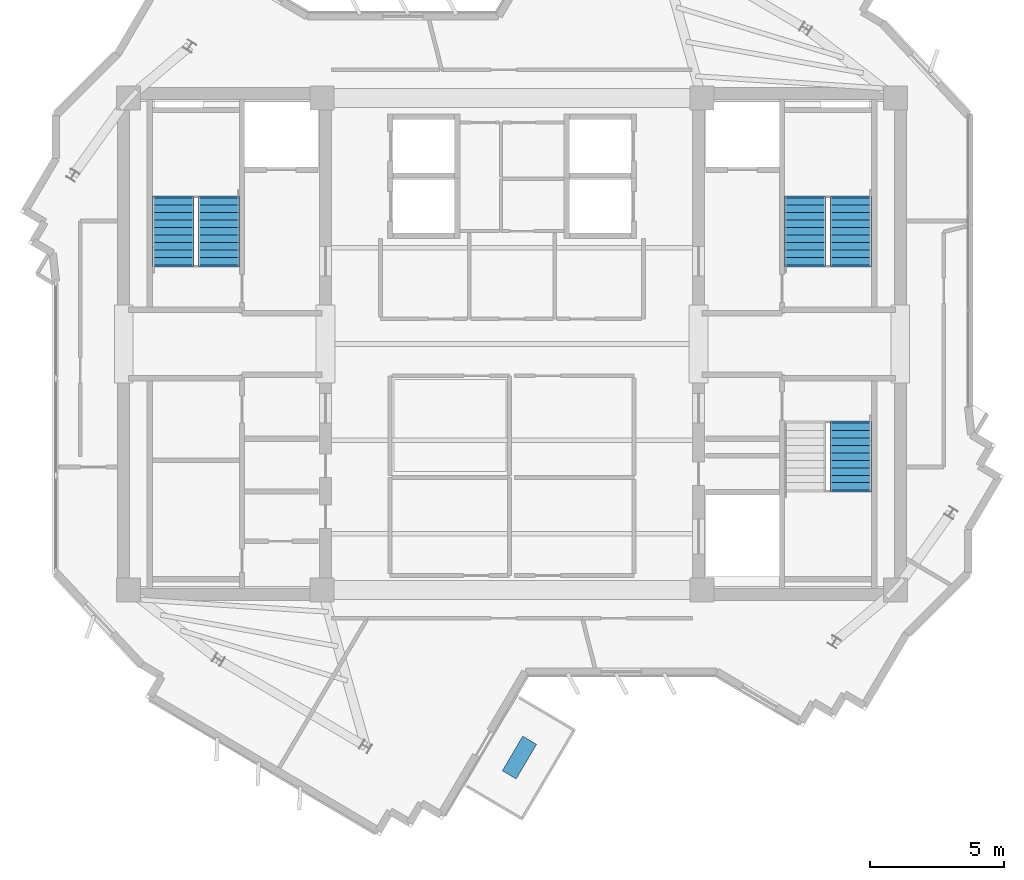
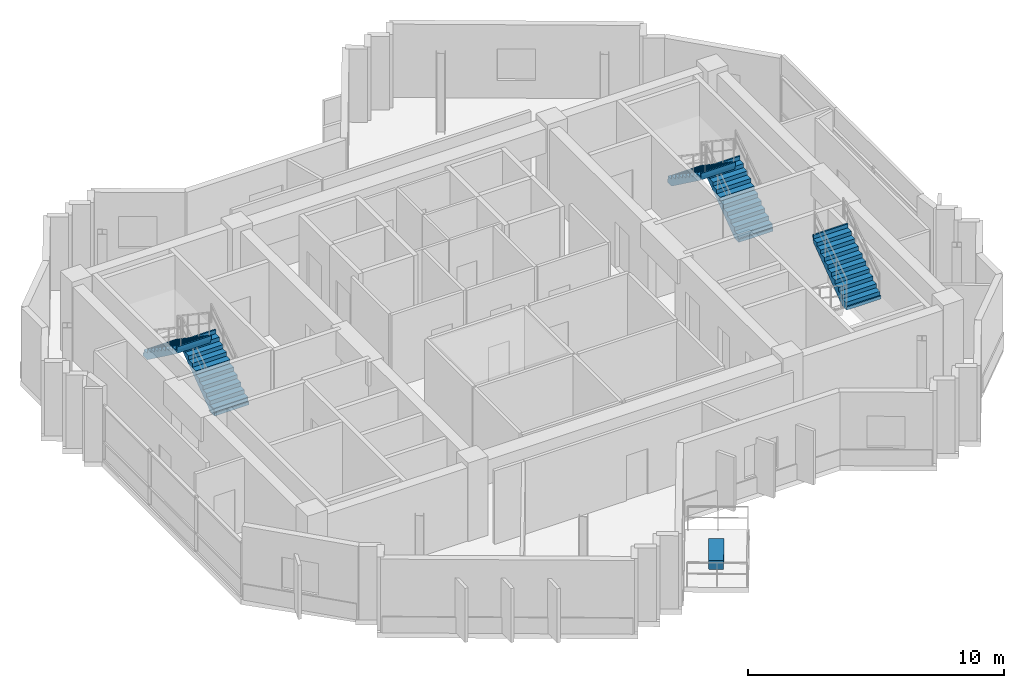
# One storey, part 8 of 10: 5 stair flights, 1 discrete accessory, 3 elements without a shape of their own.
"""IFC4 building model written with IfcOpenShell, lengths in metres."""

from ifc_helpers import new_model, si_unit, direction, frame, origin, origin_2d, place, context, subcontext, project, spatial, polyline, rectangle, outline, extrude, source, transform, mapped, material, type_object, element, aggregate, save


model = new_model("IFC4")

# Units and contexts
model_context = context("Model", 3, precision=1e-05, world=origin(), true_north=direction((0.0, 1.0)))
body_context = subcontext(model_context, "Body", "Model", "MODEL_VIEW")
ifc_project = project(units=[si_unit("LENGTHUNIT", "METRE"), si_unit("AREAUNIT", "SQUARE_METRE"), si_unit("VOLUMEUNIT", "CUBIC_METRE"), si_unit("PLANEANGLEUNIT", "RADIAN"), si_unit("MASSUNIT", "GRAM", prefix="KILO")], contexts=[model_context])

# Site, building, storey
site_placement = place(None, origin())
site = spatial("IfcSite", under=ifc_project, at=site_placement, CompositionType="ELEMENT")
building_placement = place(site_placement, origin())
building = spatial("IfcBuilding", under=site, at=building_placement, Name="Zahravan Cultural Tower", CompositionType="ELEMENT")
storey_placement = place(building_placement, frame((0.0, 0.0, 349.800048828125)))
storey = spatial("IfcBuildingStorey", under=building, at=storey_placement, Name="L85", CompositionType="ELEMENT", Elevation=349.800048828125)

# Stair, stair flights
ifc_material_1 = material(Name="Concrete C45/55", Category="concrete")
stair_type = type_object("IfcStairType", Name="STR-DL-1550-375", PredefinedType="HALF_TURN_STAIR", material=ifc_material_1)
stair_1_placement = place(storey_placement, origin())
stair_1 = element("IfcStair", 1, at=stair_1_placement, inside=storey, type_object=stair_type, Name="L85 West Core North Exit Stair ST-W1", PredefinedType="HALF_TURN_STAIR")
stair_flight_type = type_object("IfcStairFlightType", Name="FLG-DL-1550-375", PredefinedType="STRAIGHT", material=ifc_material_1)
stair_flight_1_placement = place(storey_placement, frame((25.02490234375, 29.949951171875, 0.0), z_axis=(0.0, 0.0, 1.0), x_axis=(0.0, 1.0, 0.0)))
stair_flight_1 = element("IfcStairFlight", 2, at=stair_flight_1_placement, type_object=stair_flight_type, Name="ST-W1 flight 1", NumberOfRisers=10, NumberOfTreads=9, PredefinedType="STRAIGHT", RiserHeight=0.1875, TreadLength=0.28, context=body_context, shape_type="SweptSolid", body=[
    extrude(outline(polyline([(-0.06494140625, -0.139892578125), (-0.06494140625, 0.0), (0.0, 0.0), (0.0, 0.1875), (0.280029296875, 0.1875), (0.280029296875, 0.375), (0.56005859375, 0.375), (0.56005859375, 0.5625), (0.840087890625, 0.5625), (0.840087890625, 0.75), (1.1201171875, 0.75), (1.1201171875, 0.9375), (1.39990234375, 0.9375), (1.39990234375, 1.125), (1.679931640625, 1.125), (1.679931640625, 1.3125), (1.9599609375, 1.3125), (1.9599609375, 1.5), (2.239990234375, 1.5), (2.239990234375, 1.6875), (2.52001953125, 1.6875), (2.52001953125, 1.875), (2.5849609375, 1.875), (2.5849609375, 1.72509765625), (2.52001953125, 1.507080078125), (0.26953125, -0.139892578125), (-0.06494140625, -0.139892578125)])), frame((0.0, 0.77490234375, 0.0), z_axis=(0.0, -1.0, 0.0), x_axis=(1.0, 0.0, 0.0)), (0.0, 0.0, 1.0), 1.550048828125),
])
stair_flight_2_placement = place(storey_placement, frame((23.324951171875, 32.469970703125, 1.875), z_axis=(0.0, 0.0, 1.0), x_axis=(0.0, -1.0, 0.0)))
stair_flight_2 = element("IfcStairFlight", 3, at=stair_flight_2_placement, type_object=stair_flight_type, Name="ST-W1 flight 2", NumberOfRisers=10, NumberOfTreads=9, PredefinedType="STRAIGHT", RiserHeight=0.1875, TreadLength=0.28, context=body_context, shape_type="SweptSolid", body=[
    extrude(outline(polyline([(-0.06494140625, -0.139892578125), (-0.06494140625, 0.0), (0.0, 0.0), (0.0, 0.1875), (0.280029296875, 0.1875), (0.280029296875, 0.375), (0.56005859375, 0.375), (0.56005859375, 0.5625), (0.840087890625, 0.5625), (0.840087890625, 0.75), (1.1201171875, 0.75), (1.1201171875, 0.9375), (1.39990234375, 0.9375), (1.39990234375, 1.125), (1.679931640625, 1.125), (1.679931640625, 1.3125), (1.9599609375, 1.3125), (1.9599609375, 1.5), (2.239990234375, 1.5), (2.239990234375, 1.6875), (2.52001953125, 1.6875), (2.52001953125, 1.875), (2.5849609375, 1.875), (2.5849609375, 1.72509765625), (2.52001953125, 1.507080078125), (0.26953125, -0.139892578125), (-0.06494140625, -0.139892578125)])), frame((0.0, 0.77490234375, 0.0), z_axis=(0.0, -1.0, 0.0), x_axis=(1.0, 0.0, 0.0)), (0.0, 0.0, 1.0), 1.550048828125),
])
aggregate(stair_1, [stair_flight_1, stair_flight_2])

stair_2_placement = place(storey_placement, origin())
stair_2 = element("IfcStair", 4, at=stair_2_placement, inside=storey, type_object=stair_type, Name="L85 East Core North Exit Stair ST-E1", PredefinedType="HALF_TURN_STAIR")
stair_flight_3_placement = place(storey_placement, frame((48.675048828125, 29.949951171875, 0.0), z_axis=(0.0, 0.0, 1.0), x_axis=(0.0, 1.0, 0.0)))
stair_flight_3 = element("IfcStairFlight", 5, at=stair_flight_3_placement, type_object=stair_flight_type, Name="ST-E1 flight 1", NumberOfRisers=10, NumberOfTreads=9, PredefinedType="STRAIGHT", RiserHeight=0.1875, TreadLength=0.28, context=body_context, shape_type="SweptSolid", body=[
    extrude(outline(polyline([(-0.06494140625, -0.139892578125), (-0.06494140625, 0.0), (0.0, 0.0), (0.0, 0.1875), (0.280029296875, 0.1875), (0.280029296875, 0.375), (0.56005859375, 0.375), (0.56005859375, 0.5625), (0.840087890625, 0.5625), (0.840087890625, 0.75), (1.1201171875, 0.75), (1.1201171875, 0.9375), (1.39990234375, 0.9375), (1.39990234375, 1.125), (1.679931640625, 1.125), (1.679931640625, 1.3125), (1.9599609375, 1.3125), (1.9599609375, 1.5), (2.239990234375, 1.5), (2.239990234375, 1.6875), (2.52001953125, 1.6875), (2.52001953125, 1.875), (2.5849609375, 1.875), (2.5849609375, 1.72509765625), (2.52001953125, 1.507080078125), (0.26953125, -0.139892578125), (-0.06494140625, -0.139892578125)])), frame((0.0, 0.77490234375, 0.0), z_axis=(0.0, -1.0, 0.0), x_axis=(1.0, 0.0, 0.0)), (0.0, 0.0, 1.0), 1.550048828125),
])
stair_flight_4_placement = place(storey_placement, frame((46.97509765625, 32.469970703125, 1.875), z_axis=(0.0, 0.0, 1.0), x_axis=(0.0, -1.0, 0.0)))
stair_flight_4 = element("IfcStairFlight", 6, at=stair_flight_4_placement, type_object=stair_flight_type, Name="ST-E1 flight 2", NumberOfRisers=10, NumberOfTreads=9, PredefinedType="STRAIGHT", RiserHeight=0.1875, TreadLength=0.28, context=body_context, shape_type="SweptSolid", body=[
    extrude(outline(polyline([(-0.06494140625, -0.139892578125), (-0.06494140625, 0.0), (0.0, 0.0), (0.0, 0.1875), (0.280029296875, 0.1875), (0.280029296875, 0.375), (0.56005859375, 0.375), (0.56005859375, 0.5625), (0.840087890625, 0.5625), (0.840087890625, 0.75), (1.1201171875, 0.75), (1.1201171875, 0.9375), (1.39990234375, 0.9375), (1.39990234375, 1.125), (1.679931640625, 1.125), (1.679931640625, 1.3125), (1.9599609375, 1.3125), (1.9599609375, 1.5), (2.239990234375, 1.5), (2.239990234375, 1.6875), (2.52001953125, 1.6875), (2.52001953125, 1.875), (2.5849609375, 1.875), (2.5849609375, 1.72509765625), (2.52001953125, 1.507080078125), (0.26953125, -0.139892578125), (-0.06494140625, -0.139892578125)])), frame((0.0, 0.77490234375, 0.0), z_axis=(0.0, -1.0, 0.0), x_axis=(1.0, 0.0, 0.0)), (0.0, 0.0, 1.0), 1.550048828125),
])
aggregate(stair_2, [stair_flight_3, stair_flight_4])

# Stair, stair flight
stair_3_placement = place(storey_placement, origin())
stair_3 = element("IfcStair", 7, at=stair_3_placement, inside=storey, type_object=stair_type, Name="L85 East Core South Exit Stair ST-E2", PredefinedType="HALF_TURN_STAIR")
stair_flight_5_placement = place(storey_placement, frame((48.675048828125, 21.530029296875, 1.875), z_axis=(0.0, 0.0, 1.0), x_axis=(0.0, 1.0, 0.0)))
stair_flight_5 = element("IfcStairFlight", 8, at=stair_flight_5_placement, type_object=stair_flight_type, Name="ST-E2 flight 2", NumberOfRisers=10, NumberOfTreads=9, PredefinedType="STRAIGHT", RiserHeight=0.1875, TreadLength=0.28, context=body_context, shape_type="SweptSolid", body=[
    extrude(outline(polyline([(-0.06494140625, -0.139892578125), (-0.06494140625, 0.0), (0.0, 0.0), (0.0, 0.1875), (0.280029296875, 0.1875), (0.280029296875, 0.375), (0.56005859375, 0.375), (0.56005859375, 0.5625), (0.840087890625, 0.5625), (0.840087890625, 0.75), (1.1201171875, 0.75), (1.1201171875, 0.9375), (1.39990234375, 0.9375), (1.39990234375, 1.125), (1.679931640625, 1.125), (1.679931640625, 1.3125), (1.9599609375, 1.3125), (1.9599609375, 1.5), (2.239990234375, 1.5), (2.239990234375, 1.6875), (2.52001953125, 1.6875), (2.52001953125, 1.875), (2.5849609375, 1.875), (2.5849609375, 1.72509765625), (2.52001953125, 1.507080078125), (0.26953125, -0.139892578125), (-0.06494140625, -0.139892578125)])), frame((0.0, 0.77490234375, 0.0), z_axis=(0.0, -1.0, 0.0), x_axis=(1.0, 0.0, 0.0)), (0.0, 0.0, 1.0), 1.550048828125),
])
aggregate(stair_3, [stair_flight_5])

# Discrete accessory
ifc_material_2 = material(Name="Planted soil and terracotta planter", Category="masonry")
discrete_accessory_type = type_object("IfcDiscreteAccessoryType", Name="ACC-PLANTER-TC", PredefinedType="USERDEFINED", material=ifc_material_2)
shared_shape = source(origin(), body_context, "Body", "SweptSolid", [
    extrude(rectangle(XDim=1.5, YDim=0.60009765625, at=origin_2d()), origin(), (0.0, 0.0, 1.0), 0.419921875),
])
discrete_accessory_placement = place(storey_placement, frame((36.278564453125, 11.531005859375, 0.0), z_axis=(0.0, 0.0, 1.0), x_axis=(0.508290082898, 0.861185921638, 0.0)))
element("IfcDiscreteAccessory", 9, at=discrete_accessory_placement, inside=storey, type_object=discrete_accessory_type, Name="L85 Terracotta Sculpture Planter SW", ObjectType="PLANTER", PredefinedType="USERDEFINED", context=body_context, shape_type="MappedRepresentation", body=[
    mapped(shared_shape, transform((0.0, 0.0, 0.0), x_axis=(1.0, 0.0, 0.0), y_axis=(0.0, 1.0, 0.0), z_axis=(0.0, 0.0, 1.0), scale=1.0)),
])

save(model, "model.ifc")
